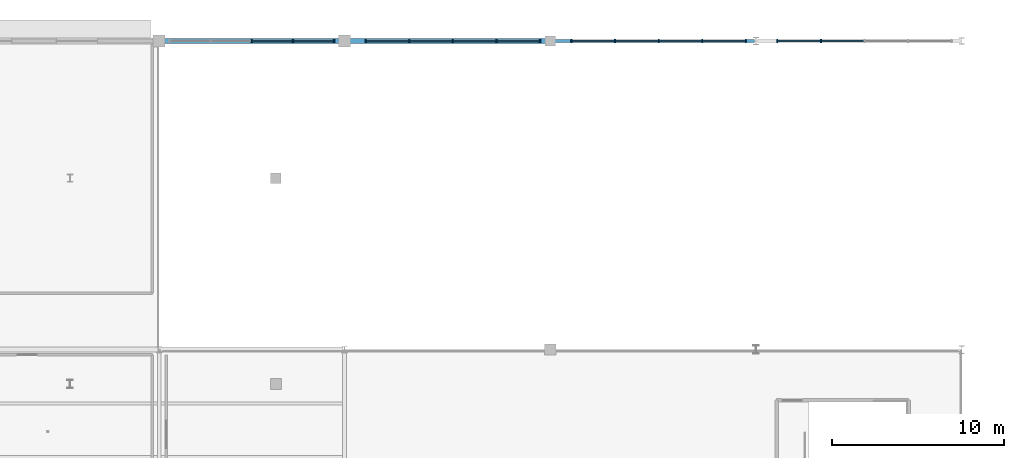
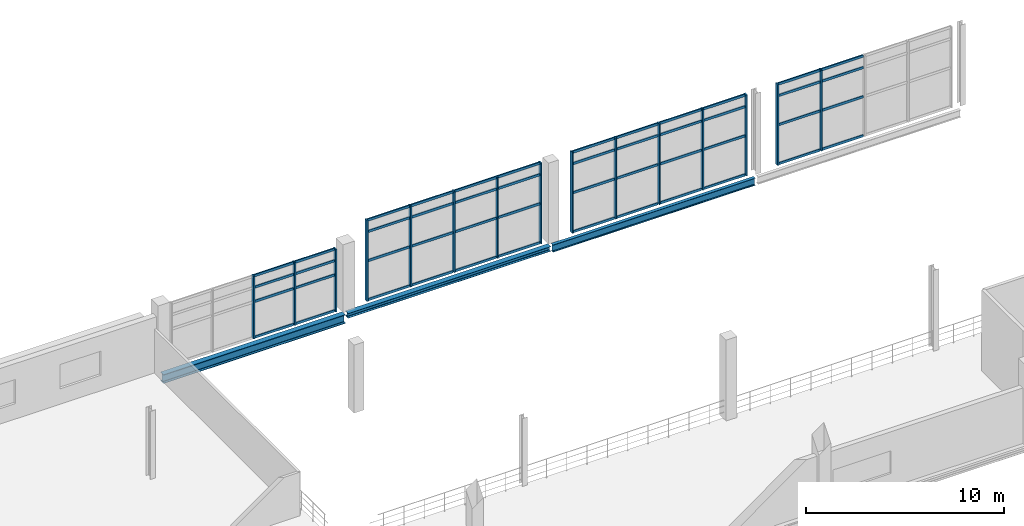
# One storey, part 52 of 89: 63 members, 3 beams, 4 elements without a shape of their own.
"""IFC4 building model written with IfcOpenShell, lengths in metres."""

from ifc_helpers import new_model, si_unit, direction, frame, origin, origin_2d, place, context, subcontext, project, spatial, rectangle, i_section, extrude, material, material_profile, profile_set, type_object, element, aggregate, save


model = new_model("IFC4")

# Units and contexts
model_context = context("Model", 3, precision=1e-05, world=origin(), true_north=direction((0.0, 1.0)))
body_context = subcontext(model_context, "Body", "Model", "MODEL_VIEW")
ifc_project = project(units=[si_unit("LENGTHUNIT", "METRE"), si_unit("AREAUNIT", "SQUARE_METRE"), si_unit("VOLUMEUNIT", "CUBIC_METRE"), si_unit("PLANEANGLEUNIT", "RADIAN"), si_unit("MASSUNIT", "GRAM", prefix="KILO"), si_unit("THERMODYNAMICTEMPERATUREUNIT", "KELVIN"), si_unit("POWERUNIT", "WATT")], contexts=[model_context])

# Site, building, storey
site_placement = place(None, origin())
site = spatial("IfcSite", under=ifc_project, at=site_placement, CompositionType="ELEMENT")
building_placement = place(site_placement, origin())
building = spatial("IfcBuilding", under=site, at=building_placement, Name="Solmara Park Aquatics Centre", CompositionType="ELEMENT")
storey_placement = place(building_placement, frame((0.0, 0.0, 5.39990234375)))
storey = spatial("IfcBuildingStorey", under=building, at=storey_placement, Name="L01", CompositionType="ELEMENT", Elevation=5.39990234375)

# Curtain wall, members
ifc_material_1 = material(Name="Anodised Aluminium Curtain Wall Framing", Category="aluminium")
curtain_wall_type = type_object("IfcCurtainWallType", Name="ARC-CW-SYS03", PredefinedType="USERDEFINED", material=ifc_material_1)
curtain_wall_1_placement = place(storey_placement, origin())
curtain_wall_1 = element("IfcCurtainWall", 1, at=curtain_wall_1_placement, inside=storey, type_object=curtain_wall_type, Name="Curtain Wall CW-120", ObjectType="CURTAIN WALL", PredefinedType="USERDEFINED")
ifc_material_2 = material(Name="Anodised Aluminium Alloy 6063-T6", Category="aluminium")
ifc_material_profile_1 = material_profile(ifc_material_2, rectangle(XDim=0.074951171875, YDim=0.219970703125, at=origin_2d()), Name="ALU MULLION 75x220")
ifc_profile_set_1 = profile_set([ifc_material_profile_1], Name="Anodised Aluminium Alloy 6063-T6")
member_type_1 = type_object("IfcMemberType", Name="ARC-CWM-75x220", PredefinedType="MULLION", material=ifc_profile_set_1)
member_1_placement = place(storey_placement, frame((114.60009765625, 136.0, 0.0), z_axis=(0.0, 0.0, 1.0), x_axis=(1.0, 0.0, 0.0)))
member_1 = element("IfcMember", 2, at=member_1_placement, type_object=member_type_1, Name="CW-120 mullion 3", PredefinedType="MULLION", context=body_context, shape_type="SweptSolid", body=[
    extrude(rectangle(XDim=0.074951171875, YDim=0.219970703125, at=origin_2d()), origin(), (0.0, 0.0, 1.0), 3.880126953125),
])
member_2_placement = place(storey_placement, frame((117.0, 136.0, 0.0), z_axis=(0.0, 0.0, 1.0), x_axis=(1.0, 0.0, 0.0)))
member_2 = element("IfcMember", 3, at=member_2_placement, type_object=member_type_1, Name="CW-120 mullion 4", PredefinedType="MULLION", context=body_context, shape_type="SweptSolid", body=[
    extrude(rectangle(XDim=0.074951171875, YDim=0.219970703125, at=origin_2d()), origin(), (0.0, 0.0, 1.0), 3.880126953125),
])
member_3_placement = place(storey_placement, frame((119.39990234375, 136.0, 0.0), z_axis=(0.0, 0.0, 1.0), x_axis=(1.0, 0.0, 0.0)))
member_3 = element("IfcMember", 4, at=member_3_placement, type_object=member_type_1, Name="CW-120 mullion 5", PredefinedType="MULLION", context=body_context, shape_type="SweptSolid", body=[
    extrude(rectangle(XDim=0.074951171875, YDim=0.219970703125, at=origin_2d()), origin(), (0.0, 0.0, 1.0), 3.880126953125),
])

curtain_wall_2_placement = place(storey_placement, origin())
curtain_wall_2 = element("IfcCurtainWall", 5, at=curtain_wall_2_placement, inside=storey, type_object=curtain_wall_type, Name="Curtain Wall CW-121", ObjectType="CURTAIN WALL", PredefinedType="USERDEFINED")
member_4_placement = place(storey_placement, frame((121.239990234375, 136.0, 0.0), z_axis=(0.0, 0.0, 1.0), x_axis=(1.0, 0.0, 0.0)))
member_4 = element("IfcMember", 6, at=member_4_placement, type_object=member_type_1, Name="CW-121 mullion 1", PredefinedType="MULLION", context=body_context, shape_type="SweptSolid", body=[
    extrude(rectangle(XDim=0.074951171875, YDim=0.219970703125, at=origin_2d()), origin(), (0.0, 0.0, 1.0), 5.0),
])
member_5_placement = place(storey_placement, frame((123.780029296875, 136.0, 0.0), z_axis=(0.0, 0.0, 1.0), x_axis=(1.0, 0.0, 0.0)))
member_5 = element("IfcMember", 7, at=member_5_placement, type_object=member_type_1, Name="CW-121 mullion 2", PredefinedType="MULLION", context=body_context, shape_type="SweptSolid", body=[
    extrude(rectangle(XDim=0.074951171875, YDim=0.219970703125, at=origin_2d()), origin(), (0.0, 0.0, 1.0), 5.0),
])
member_6_placement = place(storey_placement, frame((126.320068359375, 136.0, 0.0), z_axis=(0.0, 0.0, 1.0), x_axis=(1.0, 0.0, 0.0)))
member_6 = element("IfcMember", 8, at=member_6_placement, type_object=member_type_1, Name="CW-121 mullion 3", PredefinedType="MULLION", context=body_context, shape_type="SweptSolid", body=[
    extrude(rectangle(XDim=0.074951171875, YDim=0.219970703125, at=origin_2d()), origin(), (0.0, 0.0, 1.0), 5.0),
])
member_7_placement = place(storey_placement, frame((128.860107421875, 136.0, 0.0), z_axis=(0.0, 0.0, 1.0), x_axis=(1.0, 0.0, 0.0)))
member_7 = element("IfcMember", 9, at=member_7_placement, type_object=member_type_1, Name="CW-121 mullion 4", PredefinedType="MULLION", context=body_context, shape_type="SweptSolid", body=[
    extrude(rectangle(XDim=0.074951171875, YDim=0.219970703125, at=origin_2d()), origin(), (0.0, 0.0, 1.0), 5.0),
])
member_8_placement = place(storey_placement, frame((131.39990234375, 136.0, 0.0), z_axis=(0.0, 0.0, 1.0), x_axis=(1.0, 0.0, 0.0)))
member_8 = element("IfcMember", 10, at=member_8_placement, type_object=member_type_1, Name="CW-121 mullion 5", PredefinedType="MULLION", context=body_context, shape_type="SweptSolid", body=[
    extrude(rectangle(XDim=0.074951171875, YDim=0.219970703125, at=origin_2d()), origin(), (0.0, 0.0, 1.0), 5.0),
])

curtain_wall_3_placement = place(storey_placement, origin())
curtain_wall_3 = element("IfcCurtainWall", 11, at=curtain_wall_3_placement, inside=storey, type_object=curtain_wall_type, Name="Curtain Wall CW-122", ObjectType="CURTAIN WALL", PredefinedType="USERDEFINED")
member_9_placement = place(storey_placement, frame((133.239990234375, 136.0, 0.0), z_axis=(0.0, 0.0, 1.0), x_axis=(1.0, 0.0, 0.0)))
member_9 = element("IfcMember", 12, at=member_9_placement, type_object=member_type_1, Name="CW-122 mullion 1", PredefinedType="MULLION", context=body_context, shape_type="SweptSolid", body=[
    extrude(rectangle(XDim=0.074951171875, YDim=0.219970703125, at=origin_2d()), origin(), (0.0, 0.0, 1.0), 5.0),
])
member_10_placement = place(storey_placement, frame((135.780029296875, 136.0, 0.0), z_axis=(0.0, 0.0, 1.0), x_axis=(1.0, 0.0, 0.0)))
member_10 = element("IfcMember", 13, at=member_10_placement, type_object=member_type_1, Name="CW-122 mullion 2", PredefinedType="MULLION", context=body_context, shape_type="SweptSolid", body=[
    extrude(rectangle(XDim=0.074951171875, YDim=0.219970703125, at=origin_2d()), origin(), (0.0, 0.0, 1.0), 5.0),
])
member_11_placement = place(storey_placement, frame((138.320068359375, 136.0, 0.0), z_axis=(0.0, 0.0, 1.0), x_axis=(1.0, 0.0, 0.0)))
member_11 = element("IfcMember", 14, at=member_11_placement, type_object=member_type_1, Name="CW-122 mullion 3", PredefinedType="MULLION", context=body_context, shape_type="SweptSolid", body=[
    extrude(rectangle(XDim=0.074951171875, YDim=0.219970703125, at=origin_2d()), origin(), (0.0, 0.0, 1.0), 5.0),
])
member_12_placement = place(storey_placement, frame((140.860107421875, 136.0, 0.0), z_axis=(0.0, 0.0, 1.0), x_axis=(1.0, 0.0, 0.0)))
member_12 = element("IfcMember", 15, at=member_12_placement, type_object=member_type_1, Name="CW-122 mullion 4", PredefinedType="MULLION", context=body_context, shape_type="SweptSolid", body=[
    extrude(rectangle(XDim=0.074951171875, YDim=0.219970703125, at=origin_2d()), origin(), (0.0, 0.0, 1.0), 5.0),
])
member_13_placement = place(storey_placement, frame((143.39990234375, 136.0, 0.0), z_axis=(0.0, 0.0, 1.0), x_axis=(1.0, 0.0, 0.0)))
member_13 = element("IfcMember", 16, at=member_13_placement, type_object=member_type_1, Name="CW-122 mullion 5", PredefinedType="MULLION", context=body_context, shape_type="SweptSolid", body=[
    extrude(rectangle(XDim=0.074951171875, YDim=0.219970703125, at=origin_2d()), origin(), (0.0, 0.0, 1.0), 5.0),
])

curtain_wall_4_placement = place(storey_placement, origin())
curtain_wall_4 = element("IfcCurtainWall", 17, at=curtain_wall_4_placement, inside=storey, type_object=curtain_wall_type, Name="Curtain Wall CW-123", ObjectType="CURTAIN WALL", PredefinedType="USERDEFINED")
member_14_placement = place(storey_placement, frame((145.239990234375, 136.0, 0.0), z_axis=(0.0, 0.0, 1.0), x_axis=(1.0, 0.0, 0.0)))
member_14 = element("IfcMember", 18, at=member_14_placement, type_object=member_type_1, Name="CW-123 mullion 1", PredefinedType="MULLION", context=body_context, shape_type="SweptSolid", body=[
    extrude(rectangle(XDim=0.074951171875, YDim=0.219970703125, at=origin_2d()), origin(), (0.0, 0.0, 1.0), 5.0),
])
member_15_placement = place(storey_placement, frame((147.780029296875, 136.0, 0.0), z_axis=(0.0, 0.0, 1.0), x_axis=(1.0, 0.0, 0.0)))
member_15 = element("IfcMember", 19, at=member_15_placement, type_object=member_type_1, Name="CW-123 mullion 2", PredefinedType="MULLION", context=body_context, shape_type="SweptSolid", body=[
    extrude(rectangle(XDim=0.074951171875, YDim=0.219970703125, at=origin_2d()), origin(), (0.0, 0.0, 1.0), 5.0),
])

# Member
ifc_material_profile_2 = material_profile(ifc_material_2, rectangle(XDim=0.074951171875, YDim=0.14990234375, at=origin_2d()), Name="ALU TRANSOM 75x150")
ifc_profile_set_2 = profile_set([ifc_material_profile_2], Name="Anodised Aluminium Alloy 6063-T6")
member_type_2 = type_object("IfcMemberType", Name="ARC-CWT-75x150", PredefinedType="USERDEFINED", material=ifc_profile_set_2)
member_16_placement = place(storey_placement, frame((114.6201171875, 136.0, 0.0400390625), z_axis=(1.0, 0.0, 0.0), x_axis=(0.0, 1.0, 0.0)))
member_16 = element("IfcMember", 20, at=member_16_placement, type_object=member_type_2, Name="CW-120 transom 9", ObjectType="TRANSOM", PredefinedType="USERDEFINED", context=body_context, shape_type="SweptSolid", body=[
    extrude(rectangle(XDim=0.074951171875, YDim=0.14990234375, at=origin_2d()), origin(), (0.0, 0.0, 1.0), 2.31982421875),
])

member_17_placement = place(storey_placement, frame((114.6201171875, 136.0, 2.25048828125), z_axis=(1.0, 0.0, 0.0), x_axis=(0.0, 1.0, 0.0)))
member_17 = element("IfcMember", 21, at=member_17_placement, type_object=member_type_2, Name="CW-120 transom 10", ObjectType="TRANSOM", PredefinedType="USERDEFINED", context=body_context, shape_type="SweptSolid", body=[
    extrude(rectangle(XDim=0.074951171875, YDim=0.14990234375, at=origin_2d()), origin(), (0.0, 0.0, 1.0), 2.31982421875),
])

member_18_placement = place(storey_placement, frame((114.6201171875, 136.0, 3.130126953125), z_axis=(1.0, 0.0, 0.0), x_axis=(0.0, 1.0, 0.0)))
member_18 = element("IfcMember", 22, at=member_18_placement, type_object=member_type_2, Name="CW-120 transom 11", ObjectType="TRANSOM", PredefinedType="USERDEFINED", context=body_context, shape_type="SweptSolid", body=[
    extrude(rectangle(XDim=0.074951171875, YDim=0.14990234375, at=origin_2d()), origin(), (0.0, 0.0, 1.0), 2.31982421875),
])

member_19_placement = place(storey_placement, frame((114.6201171875, 136.0, 3.840087890625), z_axis=(1.0, 0.0, 0.0), x_axis=(0.0, 1.0, 0.0)))
member_19 = element("IfcMember", 23, at=member_19_placement, type_object=member_type_2, Name="CW-120 transom 12", ObjectType="TRANSOM", PredefinedType="USERDEFINED", context=body_context, shape_type="SweptSolid", body=[
    extrude(rectangle(XDim=0.074951171875, YDim=0.14990234375, at=origin_2d()), origin(), (0.0, 0.0, 1.0), 2.31982421875),
])

member_20_placement = place(storey_placement, frame((117.02001953125, 136.0, 0.0400390625), z_axis=(1.0, 0.0, 0.0), x_axis=(0.0, 1.0, 0.0)))
member_20 = element("IfcMember", 24, at=member_20_placement, type_object=member_type_2, Name="CW-120 transom 13", ObjectType="TRANSOM", PredefinedType="USERDEFINED", context=body_context, shape_type="SweptSolid", body=[
    extrude(rectangle(XDim=0.074951171875, YDim=0.14990234375, at=origin_2d()), origin(), (0.0, 0.0, 1.0), 2.320068359375),
])

member_21_placement = place(storey_placement, frame((117.02001953125, 136.0, 2.25048828125), z_axis=(1.0, 0.0, 0.0), x_axis=(0.0, 1.0, 0.0)))
member_21 = element("IfcMember", 25, at=member_21_placement, type_object=member_type_2, Name="CW-120 transom 14", ObjectType="TRANSOM", PredefinedType="USERDEFINED", context=body_context, shape_type="SweptSolid", body=[
    extrude(rectangle(XDim=0.074951171875, YDim=0.14990234375, at=origin_2d()), origin(), (0.0, 0.0, 1.0), 2.320068359375),
])

member_22_placement = place(storey_placement, frame((117.02001953125, 136.0, 3.130126953125), z_axis=(1.0, 0.0, 0.0), x_axis=(0.0, 1.0, 0.0)))
member_22 = element("IfcMember", 26, at=member_22_placement, type_object=member_type_2, Name="CW-120 transom 15", ObjectType="TRANSOM", PredefinedType="USERDEFINED", context=body_context, shape_type="SweptSolid", body=[
    extrude(rectangle(XDim=0.074951171875, YDim=0.14990234375, at=origin_2d()), origin(), (0.0, 0.0, 1.0), 2.320068359375),
])

member_23_placement = place(storey_placement, frame((117.02001953125, 136.0, 3.840087890625), z_axis=(1.0, 0.0, 0.0), x_axis=(0.0, 1.0, 0.0)))
member_23 = element("IfcMember", 27, at=member_23_placement, type_object=member_type_2, Name="CW-120 transom 16", ObjectType="TRANSOM", PredefinedType="USERDEFINED", context=body_context, shape_type="SweptSolid", body=[
    extrude(rectangle(XDim=0.074951171875, YDim=0.14990234375, at=origin_2d()), origin(), (0.0, 0.0, 1.0), 2.320068359375),
])

aggregate(curtain_wall_1, [member_1, member_2, member_3, member_16, member_17, member_18, member_19, member_20, member_21, member_22, member_23])

member_24_placement = place(storey_placement, frame((121.260009765625, 136.0, 0.0400390625), z_axis=(1.0, 0.0, 0.0), x_axis=(0.0, 1.0, 0.0)))
member_24 = element("IfcMember", 28, at=member_24_placement, type_object=member_type_2, Name="CW-121 transom 1", ObjectType="TRANSOM", PredefinedType="USERDEFINED", context=body_context, shape_type="SweptSolid", body=[
    extrude(rectangle(XDim=0.074951171875, YDim=0.14990234375, at=origin_2d()), origin(), (0.0, 0.0, 1.0), 2.4599609375),
])

member_25_placement = place(storey_placement, frame((121.260009765625, 136.0, 2.4501953125), z_axis=(1.0, 0.0, 0.0), x_axis=(0.0, 1.0, 0.0)))
member_25 = element("IfcMember", 29, at=member_25_placement, type_object=member_type_2, Name="CW-121 transom 2", ObjectType="TRANSOM", PredefinedType="USERDEFINED", context=body_context, shape_type="SweptSolid", body=[
    extrude(rectangle(XDim=0.074951171875, YDim=0.14990234375, at=origin_2d()), origin(), (0.0, 0.0, 1.0), 2.4599609375),
])

member_26_placement = place(storey_placement, frame((121.260009765625, 136.0, 4.25), z_axis=(1.0, 0.0, 0.0), x_axis=(0.0, 1.0, 0.0)))
member_26 = element("IfcMember", 30, at=member_26_placement, type_object=member_type_2, Name="CW-121 transom 3", ObjectType="TRANSOM", PredefinedType="USERDEFINED", context=body_context, shape_type="SweptSolid", body=[
    extrude(rectangle(XDim=0.074951171875, YDim=0.14990234375, at=origin_2d()), origin(), (0.0, 0.0, 1.0), 2.4599609375),
])

member_27_placement = place(storey_placement, frame((121.260009765625, 136.0, 4.960205078125), z_axis=(1.0, 0.0, 0.0), x_axis=(0.0, 1.0, 0.0)))
member_27 = element("IfcMember", 31, at=member_27_placement, type_object=member_type_2, Name="CW-121 transom 4", ObjectType="TRANSOM", PredefinedType="USERDEFINED", context=body_context, shape_type="SweptSolid", body=[
    extrude(rectangle(XDim=0.074951171875, YDim=0.14990234375, at=origin_2d()), origin(), (0.0, 0.0, 1.0), 2.4599609375),
])

member_28_placement = place(storey_placement, frame((123.800048828125, 136.0, 0.0400390625), z_axis=(1.0, 0.0, 0.0), x_axis=(0.0, 1.0, 0.0)))
member_28 = element("IfcMember", 32, at=member_28_placement, type_object=member_type_2, Name="CW-121 transom 5", ObjectType="TRANSOM", PredefinedType="USERDEFINED", context=body_context, shape_type="SweptSolid", body=[
    extrude(rectangle(XDim=0.074951171875, YDim=0.14990234375, at=origin_2d()), origin(), (0.0, 0.0, 1.0), 2.4599609375),
])

member_29_placement = place(storey_placement, frame((123.800048828125, 136.0, 2.4501953125), z_axis=(1.0, 0.0, 0.0), x_axis=(0.0, 1.0, 0.0)))
member_29 = element("IfcMember", 33, at=member_29_placement, type_object=member_type_2, Name="CW-121 transom 6", ObjectType="TRANSOM", PredefinedType="USERDEFINED", context=body_context, shape_type="SweptSolid", body=[
    extrude(rectangle(XDim=0.074951171875, YDim=0.14990234375, at=origin_2d()), origin(), (0.0, 0.0, 1.0), 2.4599609375),
])

member_30_placement = place(storey_placement, frame((123.800048828125, 136.0, 4.25), z_axis=(1.0, 0.0, 0.0), x_axis=(0.0, 1.0, 0.0)))
member_30 = element("IfcMember", 34, at=member_30_placement, type_object=member_type_2, Name="CW-121 transom 7", ObjectType="TRANSOM", PredefinedType="USERDEFINED", context=body_context, shape_type="SweptSolid", body=[
    extrude(rectangle(XDim=0.074951171875, YDim=0.14990234375, at=origin_2d()), origin(), (0.0, 0.0, 1.0), 2.4599609375),
])

member_31_placement = place(storey_placement, frame((123.800048828125, 136.0, 4.960205078125), z_axis=(1.0, 0.0, 0.0), x_axis=(0.0, 1.0, 0.0)))
member_31 = element("IfcMember", 35, at=member_31_placement, type_object=member_type_2, Name="CW-121 transom 8", ObjectType="TRANSOM", PredefinedType="USERDEFINED", context=body_context, shape_type="SweptSolid", body=[
    extrude(rectangle(XDim=0.074951171875, YDim=0.14990234375, at=origin_2d()), origin(), (0.0, 0.0, 1.0), 2.4599609375),
])

member_32_placement = place(storey_placement, frame((126.340087890625, 136.0, 0.0400390625), z_axis=(1.0, 0.0, 0.0), x_axis=(0.0, 1.0, 0.0)))
member_32 = element("IfcMember", 36, at=member_32_placement, type_object=member_type_2, Name="CW-121 transom 9", ObjectType="TRANSOM", PredefinedType="USERDEFINED", context=body_context, shape_type="SweptSolid", body=[
    extrude(rectangle(XDim=0.074951171875, YDim=0.14990234375, at=origin_2d()), origin(), (0.0, 0.0, 1.0), 2.4599609375),
])

member_33_placement = place(storey_placement, frame((126.340087890625, 136.0, 2.4501953125), z_axis=(1.0, 0.0, 0.0), x_axis=(0.0, 1.0, 0.0)))
member_33 = element("IfcMember", 37, at=member_33_placement, type_object=member_type_2, Name="CW-121 transom 10", ObjectType="TRANSOM", PredefinedType="USERDEFINED", context=body_context, shape_type="SweptSolid", body=[
    extrude(rectangle(XDim=0.074951171875, YDim=0.14990234375, at=origin_2d()), origin(), (0.0, 0.0, 1.0), 2.4599609375),
])

member_34_placement = place(storey_placement, frame((126.340087890625, 136.0, 4.25), z_axis=(1.0, 0.0, 0.0), x_axis=(0.0, 1.0, 0.0)))
member_34 = element("IfcMember", 38, at=member_34_placement, type_object=member_type_2, Name="CW-121 transom 11", ObjectType="TRANSOM", PredefinedType="USERDEFINED", context=body_context, shape_type="SweptSolid", body=[
    extrude(rectangle(XDim=0.074951171875, YDim=0.14990234375, at=origin_2d()), origin(), (0.0, 0.0, 1.0), 2.4599609375),
])

member_35_placement = place(storey_placement, frame((126.340087890625, 136.0, 4.960205078125), z_axis=(1.0, 0.0, 0.0), x_axis=(0.0, 1.0, 0.0)))
member_35 = element("IfcMember", 39, at=member_35_placement, type_object=member_type_2, Name="CW-121 transom 12", ObjectType="TRANSOM", PredefinedType="USERDEFINED", context=body_context, shape_type="SweptSolid", body=[
    extrude(rectangle(XDim=0.074951171875, YDim=0.14990234375, at=origin_2d()), origin(), (0.0, 0.0, 1.0), 2.4599609375),
])

member_36_placement = place(storey_placement, frame((128.8798828125, 136.0, 0.0400390625), z_axis=(1.0, 0.0, 0.0), x_axis=(0.0, 1.0, 0.0)))
member_36 = element("IfcMember", 40, at=member_36_placement, type_object=member_type_2, Name="CW-121 transom 13", ObjectType="TRANSOM", PredefinedType="USERDEFINED", context=body_context, shape_type="SweptSolid", body=[
    extrude(rectangle(XDim=0.074951171875, YDim=0.14990234375, at=origin_2d()), origin(), (0.0, 0.0, 1.0), 2.460205078125),
])

member_37_placement = place(storey_placement, frame((128.8798828125, 136.0, 2.4501953125), z_axis=(1.0, 0.0, 0.0), x_axis=(0.0, 1.0, 0.0)))
member_37 = element("IfcMember", 41, at=member_37_placement, type_object=member_type_2, Name="CW-121 transom 14", ObjectType="TRANSOM", PredefinedType="USERDEFINED", context=body_context, shape_type="SweptSolid", body=[
    extrude(rectangle(XDim=0.074951171875, YDim=0.14990234375, at=origin_2d()), origin(), (0.0, 0.0, 1.0), 2.460205078125),
])

member_38_placement = place(storey_placement, frame((128.8798828125, 136.0, 4.25), z_axis=(1.0, 0.0, 0.0), x_axis=(0.0, 1.0, 0.0)))
member_38 = element("IfcMember", 42, at=member_38_placement, type_object=member_type_2, Name="CW-121 transom 15", ObjectType="TRANSOM", PredefinedType="USERDEFINED", context=body_context, shape_type="SweptSolid", body=[
    extrude(rectangle(XDim=0.074951171875, YDim=0.14990234375, at=origin_2d()), origin(), (0.0, 0.0, 1.0), 2.460205078125),
])

member_39_placement = place(storey_placement, frame((128.8798828125, 136.0, 4.960205078125), z_axis=(1.0, 0.0, 0.0), x_axis=(0.0, 1.0, 0.0)))
member_39 = element("IfcMember", 43, at=member_39_placement, type_object=member_type_2, Name="CW-121 transom 16", ObjectType="TRANSOM", PredefinedType="USERDEFINED", context=body_context, shape_type="SweptSolid", body=[
    extrude(rectangle(XDim=0.074951171875, YDim=0.14990234375, at=origin_2d()), origin(), (0.0, 0.0, 1.0), 2.460205078125),
])

aggregate(curtain_wall_2, [member_4, member_5, member_6, member_7, member_8, member_24, member_25, member_26, member_27, member_28, member_29, member_30, member_31, member_32, member_33, member_34, member_35, member_36, member_37, member_38, member_39])

member_40_placement = place(storey_placement, frame((133.260009765625, 136.0, 0.0400390625), z_axis=(1.0, 0.0, 0.0), x_axis=(0.0, 1.0, 0.0)))
member_40 = element("IfcMember", 44, at=member_40_placement, type_object=member_type_2, Name="CW-122 transom 1", ObjectType="TRANSOM", PredefinedType="USERDEFINED", context=body_context, shape_type="SweptSolid", body=[
    extrude(rectangle(XDim=0.074951171875, YDim=0.14990234375, at=origin_2d()), origin(), (0.0, 0.0, 1.0), 2.4599609375),
])

member_41_placement = place(storey_placement, frame((133.260009765625, 136.0, 2.4501953125), z_axis=(1.0, 0.0, 0.0), x_axis=(0.0, 1.0, 0.0)))
member_41 = element("IfcMember", 45, at=member_41_placement, type_object=member_type_2, Name="CW-122 transom 2", ObjectType="TRANSOM", PredefinedType="USERDEFINED", context=body_context, shape_type="SweptSolid", body=[
    extrude(rectangle(XDim=0.074951171875, YDim=0.14990234375, at=origin_2d()), origin(), (0.0, 0.0, 1.0), 2.4599609375),
])

member_42_placement = place(storey_placement, frame((133.260009765625, 136.0, 4.25), z_axis=(1.0, 0.0, 0.0), x_axis=(0.0, 1.0, 0.0)))
member_42 = element("IfcMember", 46, at=member_42_placement, type_object=member_type_2, Name="CW-122 transom 3", ObjectType="TRANSOM", PredefinedType="USERDEFINED", context=body_context, shape_type="SweptSolid", body=[
    extrude(rectangle(XDim=0.074951171875, YDim=0.14990234375, at=origin_2d()), origin(), (0.0, 0.0, 1.0), 2.4599609375),
])

member_43_placement = place(storey_placement, frame((133.260009765625, 136.0, 4.960205078125), z_axis=(1.0, 0.0, 0.0), x_axis=(0.0, 1.0, 0.0)))
member_43 = element("IfcMember", 47, at=member_43_placement, type_object=member_type_2, Name="CW-122 transom 4", ObjectType="TRANSOM", PredefinedType="USERDEFINED", context=body_context, shape_type="SweptSolid", body=[
    extrude(rectangle(XDim=0.074951171875, YDim=0.14990234375, at=origin_2d()), origin(), (0.0, 0.0, 1.0), 2.4599609375),
])

member_44_placement = place(storey_placement, frame((135.800048828125, 136.0, 0.0400390625), z_axis=(1.0, 0.0, 0.0), x_axis=(0.0, 1.0, 0.0)))
member_44 = element("IfcMember", 48, at=member_44_placement, type_object=member_type_2, Name="CW-122 transom 5", ObjectType="TRANSOM", PredefinedType="USERDEFINED", context=body_context, shape_type="SweptSolid", body=[
    extrude(rectangle(XDim=0.074951171875, YDim=0.14990234375, at=origin_2d()), origin(), (0.0, 0.0, 1.0), 2.4599609375),
])

member_45_placement = place(storey_placement, frame((135.800048828125, 136.0, 2.4501953125), z_axis=(1.0, 0.0, 0.0), x_axis=(0.0, 1.0, 0.0)))
member_45 = element("IfcMember", 49, at=member_45_placement, type_object=member_type_2, Name="CW-122 transom 6", ObjectType="TRANSOM", PredefinedType="USERDEFINED", context=body_context, shape_type="SweptSolid", body=[
    extrude(rectangle(XDim=0.074951171875, YDim=0.14990234375, at=origin_2d()), origin(), (0.0, 0.0, 1.0), 2.4599609375),
])

member_46_placement = place(storey_placement, frame((135.800048828125, 136.0, 4.25), z_axis=(1.0, 0.0, 0.0), x_axis=(0.0, 1.0, 0.0)))
member_46 = element("IfcMember", 50, at=member_46_placement, type_object=member_type_2, Name="CW-122 transom 7", ObjectType="TRANSOM", PredefinedType="USERDEFINED", context=body_context, shape_type="SweptSolid", body=[
    extrude(rectangle(XDim=0.074951171875, YDim=0.14990234375, at=origin_2d()), origin(), (0.0, 0.0, 1.0), 2.4599609375),
])

member_47_placement = place(storey_placement, frame((135.800048828125, 136.0, 4.960205078125), z_axis=(1.0, 0.0, 0.0), x_axis=(0.0, 1.0, 0.0)))
member_47 = element("IfcMember", 51, at=member_47_placement, type_object=member_type_2, Name="CW-122 transom 8", ObjectType="TRANSOM", PredefinedType="USERDEFINED", context=body_context, shape_type="SweptSolid", body=[
    extrude(rectangle(XDim=0.074951171875, YDim=0.14990234375, at=origin_2d()), origin(), (0.0, 0.0, 1.0), 2.4599609375),
])

member_48_placement = place(storey_placement, frame((138.340087890625, 136.0, 0.0400390625), z_axis=(1.0, 0.0, 0.0), x_axis=(0.0, 1.0, 0.0)))
member_48 = element("IfcMember", 52, at=member_48_placement, type_object=member_type_2, Name="CW-122 transom 9", ObjectType="TRANSOM", PredefinedType="USERDEFINED", context=body_context, shape_type="SweptSolid", body=[
    extrude(rectangle(XDim=0.074951171875, YDim=0.14990234375, at=origin_2d()), origin(), (0.0, 0.0, 1.0), 2.4599609375),
])

member_49_placement = place(storey_placement, frame((138.340087890625, 136.0, 2.4501953125), z_axis=(1.0, 0.0, 0.0), x_axis=(0.0, 1.0, 0.0)))
member_49 = element("IfcMember", 53, at=member_49_placement, type_object=member_type_2, Name="CW-122 transom 10", ObjectType="TRANSOM", PredefinedType="USERDEFINED", context=body_context, shape_type="SweptSolid", body=[
    extrude(rectangle(XDim=0.074951171875, YDim=0.14990234375, at=origin_2d()), origin(), (0.0, 0.0, 1.0), 2.4599609375),
])

member_50_placement = place(storey_placement, frame((138.340087890625, 136.0, 4.25), z_axis=(1.0, 0.0, 0.0), x_axis=(0.0, 1.0, 0.0)))
member_50 = element("IfcMember", 54, at=member_50_placement, type_object=member_type_2, Name="CW-122 transom 11", ObjectType="TRANSOM", PredefinedType="USERDEFINED", context=body_context, shape_type="SweptSolid", body=[
    extrude(rectangle(XDim=0.074951171875, YDim=0.14990234375, at=origin_2d()), origin(), (0.0, 0.0, 1.0), 2.4599609375),
])

member_51_placement = place(storey_placement, frame((138.340087890625, 136.0, 4.960205078125), z_axis=(1.0, 0.0, 0.0), x_axis=(0.0, 1.0, 0.0)))
member_51 = element("IfcMember", 55, at=member_51_placement, type_object=member_type_2, Name="CW-122 transom 12", ObjectType="TRANSOM", PredefinedType="USERDEFINED", context=body_context, shape_type="SweptSolid", body=[
    extrude(rectangle(XDim=0.074951171875, YDim=0.14990234375, at=origin_2d()), origin(), (0.0, 0.0, 1.0), 2.4599609375),
])

member_52_placement = place(storey_placement, frame((140.8798828125, 136.0, 0.0400390625), z_axis=(1.0, 0.0, 0.0), x_axis=(0.0, 1.0, 0.0)))
member_52 = element("IfcMember", 56, at=member_52_placement, type_object=member_type_2, Name="CW-122 transom 13", ObjectType="TRANSOM", PredefinedType="USERDEFINED", context=body_context, shape_type="SweptSolid", body=[
    extrude(rectangle(XDim=0.074951171875, YDim=0.14990234375, at=origin_2d()), origin(), (0.0, 0.0, 1.0), 2.460205078125),
])

member_53_placement = place(storey_placement, frame((140.8798828125, 136.0, 2.4501953125), z_axis=(1.0, 0.0, 0.0), x_axis=(0.0, 1.0, 0.0)))
member_53 = element("IfcMember", 57, at=member_53_placement, type_object=member_type_2, Name="CW-122 transom 14", ObjectType="TRANSOM", PredefinedType="USERDEFINED", context=body_context, shape_type="SweptSolid", body=[
    extrude(rectangle(XDim=0.074951171875, YDim=0.14990234375, at=origin_2d()), origin(), (0.0, 0.0, 1.0), 2.460205078125),
])

member_54_placement = place(storey_placement, frame((140.8798828125, 136.0, 4.25), z_axis=(1.0, 0.0, 0.0), x_axis=(0.0, 1.0, 0.0)))
member_54 = element("IfcMember", 58, at=member_54_placement, type_object=member_type_2, Name="CW-122 transom 15", ObjectType="TRANSOM", PredefinedType="USERDEFINED", context=body_context, shape_type="SweptSolid", body=[
    extrude(rectangle(XDim=0.074951171875, YDim=0.14990234375, at=origin_2d()), origin(), (0.0, 0.0, 1.0), 2.460205078125),
])

member_55_placement = place(storey_placement, frame((140.8798828125, 136.0, 4.960205078125), z_axis=(1.0, 0.0, 0.0), x_axis=(0.0, 1.0, 0.0)))
member_55 = element("IfcMember", 59, at=member_55_placement, type_object=member_type_2, Name="CW-122 transom 16", ObjectType="TRANSOM", PredefinedType="USERDEFINED", context=body_context, shape_type="SweptSolid", body=[
    extrude(rectangle(XDim=0.074951171875, YDim=0.14990234375, at=origin_2d()), origin(), (0.0, 0.0, 1.0), 2.460205078125),
])

aggregate(curtain_wall_3, [member_9, member_10, member_11, member_12, member_13, member_40, member_41, member_42, member_43, member_44, member_45, member_46, member_47, member_48, member_49, member_50, member_51, member_52, member_53, member_54, member_55])

member_56_placement = place(storey_placement, frame((145.260009765625, 136.0, 0.0400390625), z_axis=(1.0, 0.0, 0.0), x_axis=(0.0, 1.0, 0.0)))
member_56 = element("IfcMember", 60, at=member_56_placement, type_object=member_type_2, Name="CW-123 transom 1", ObjectType="TRANSOM", PredefinedType="USERDEFINED", context=body_context, shape_type="SweptSolid", body=[
    extrude(rectangle(XDim=0.074951171875, YDim=0.14990234375, at=origin_2d()), origin(), (0.0, 0.0, 1.0), 2.4599609375),
])

member_57_placement = place(storey_placement, frame((145.260009765625, 136.0, 2.4501953125), z_axis=(1.0, 0.0, 0.0), x_axis=(0.0, 1.0, 0.0)))
member_57 = element("IfcMember", 61, at=member_57_placement, type_object=member_type_2, Name="CW-123 transom 2", ObjectType="TRANSOM", PredefinedType="USERDEFINED", context=body_context, shape_type="SweptSolid", body=[
    extrude(rectangle(XDim=0.074951171875, YDim=0.14990234375, at=origin_2d()), origin(), (0.0, 0.0, 1.0), 2.4599609375),
])

member_58_placement = place(storey_placement, frame((145.260009765625, 136.0, 4.25), z_axis=(1.0, 0.0, 0.0), x_axis=(0.0, 1.0, 0.0)))
member_58 = element("IfcMember", 62, at=member_58_placement, type_object=member_type_2, Name="CW-123 transom 3", ObjectType="TRANSOM", PredefinedType="USERDEFINED", context=body_context, shape_type="SweptSolid", body=[
    extrude(rectangle(XDim=0.074951171875, YDim=0.14990234375, at=origin_2d()), origin(), (0.0, 0.0, 1.0), 2.4599609375),
])

member_59_placement = place(storey_placement, frame((145.260009765625, 136.0, 4.960205078125), z_axis=(1.0, 0.0, 0.0), x_axis=(0.0, 1.0, 0.0)))
member_59 = element("IfcMember", 63, at=member_59_placement, type_object=member_type_2, Name="CW-123 transom 4", ObjectType="TRANSOM", PredefinedType="USERDEFINED", context=body_context, shape_type="SweptSolid", body=[
    extrude(rectangle(XDim=0.074951171875, YDim=0.14990234375, at=origin_2d()), origin(), (0.0, 0.0, 1.0), 2.4599609375),
])

member_60_placement = place(storey_placement, frame((147.800048828125, 136.0, 0.0400390625), z_axis=(1.0, 0.0, 0.0), x_axis=(0.0, 1.0, 0.0)))
member_60 = element("IfcMember", 64, at=member_60_placement, type_object=member_type_2, Name="CW-123 transom 5", ObjectType="TRANSOM", PredefinedType="USERDEFINED", context=body_context, shape_type="SweptSolid", body=[
    extrude(rectangle(XDim=0.074951171875, YDim=0.14990234375, at=origin_2d()), origin(), (0.0, 0.0, 1.0), 2.4599609375),
])

member_61_placement = place(storey_placement, frame((147.800048828125, 136.0, 2.4501953125), z_axis=(1.0, 0.0, 0.0), x_axis=(0.0, 1.0, 0.0)))
member_61 = element("IfcMember", 65, at=member_61_placement, type_object=member_type_2, Name="CW-123 transom 6", ObjectType="TRANSOM", PredefinedType="USERDEFINED", context=body_context, shape_type="SweptSolid", body=[
    extrude(rectangle(XDim=0.074951171875, YDim=0.14990234375, at=origin_2d()), origin(), (0.0, 0.0, 1.0), 2.4599609375),
])

member_62_placement = place(storey_placement, frame((147.800048828125, 136.0, 4.25), z_axis=(1.0, 0.0, 0.0), x_axis=(0.0, 1.0, 0.0)))
member_62 = element("IfcMember", 66, at=member_62_placement, type_object=member_type_2, Name="CW-123 transom 7", ObjectType="TRANSOM", PredefinedType="USERDEFINED", context=body_context, shape_type="SweptSolid", body=[
    extrude(rectangle(XDim=0.074951171875, YDim=0.14990234375, at=origin_2d()), origin(), (0.0, 0.0, 1.0), 2.4599609375),
])

member_63_placement = place(storey_placement, frame((147.800048828125, 136.0, 4.960205078125), z_axis=(1.0, 0.0, 0.0), x_axis=(0.0, 1.0, 0.0)))
member_63 = element("IfcMember", 67, at=member_63_placement, type_object=member_type_2, Name="CW-123 transom 8", ObjectType="TRANSOM", PredefinedType="USERDEFINED", context=body_context, shape_type="SweptSolid", body=[
    extrude(rectangle(XDim=0.074951171875, YDim=0.14990234375, at=origin_2d()), origin(), (0.0, 0.0, 1.0), 2.4599609375),
])

aggregate(curtain_wall_4, [member_14, member_15, member_56, member_57, member_58, member_59, member_60, member_61, member_62, member_63])

# Beams
ifc_material_3 = material(Name="Structural Steel S355", Category="steel")
ifc_material_profile_3 = material_profile(ifc_material_3, i_section(OverallWidth=0.300048828125, OverallDepth=0.550048828125, WebThickness=0.014892578125, FlangeThickness=0.029052734375, FilletRadius=0.027099609375, at=origin_2d()), Name="HEB 550")
ifc_profile_set_3 = profile_set([ifc_material_profile_3], Name="Structural Steel S355")
beam_type_1 = type_object("IfcBeamType", Name="STR-BM-HEB550", PredefinedType="BEAM", material=ifc_profile_set_3)
beam_1_placement = place(storey_placement, frame((109.280029296875, 136.0, -0.594970703125), z_axis=(1.0, 0.0, 0.0), x_axis=(0.0, 1.0, 0.0)))
element("IfcBeam", 68, at=beam_1_placement, inside=storey, type_object=beam_type_1, Name="Girder BM-L01-0317", PredefinedType="BEAM", context=body_context, shape_type="SweptSolid", body=[
    extrude(i_section(OverallWidth=0.300048828125, OverallDepth=0.550048828125, WebThickness=0.014892578125, FlangeThickness=0.029052734375, FilletRadius=0.027099609375, at=origin_2d()), origin(), (0.0, 0.0, 1.0), 10.639892578125),
])
ifc_material_profile_4 = material_profile(ifc_material_3, i_section(OverallWidth=0.18994140625, OverallDepth=0.449951171875, WebThickness=0.009521484375, FlangeThickness=0.0146484375, FilletRadius=0.02099609375, at=origin_2d()), Name="IPE 450")
ifc_profile_set_4 = profile_set([ifc_material_profile_4], Name="Structural Steel S355")
beam_type_2 = type_object("IfcBeamType", Name="STR-BM-IPE450", PredefinedType="BEAM", material=ifc_profile_set_4)
beam_2_placement = place(storey_placement, frame((132.080078125, 136.0, -0.544921875), z_axis=(1.0, 0.0, 0.0), x_axis=(0.0, 1.0, 0.0)))
element("IfcBeam", 69, at=beam_2_placement, inside=storey, type_object=beam_type_2, Name="Girder BM-L01-0345", PredefinedType="BEAM", context=body_context, shape_type="SweptSolid", body=[
    extrude(i_section(OverallWidth=0.18994140625, OverallDepth=0.449951171875, WebThickness=0.009521484375, FlangeThickness=0.0146484375, FilletRadius=0.02099609375, at=origin_2d()), origin(), (0.0, 0.0, 1.0), 11.83984375),
])
ifc_material_profile_5 = material_profile(ifc_material_3, i_section(OverallWidth=0.300048828125, OverallDepth=0.2900390625, WebThickness=0.008544921875, FlangeThickness=0.013916015625, FilletRadius=0.027099609375, at=origin_2d()), Name="HEA 300")
ifc_profile_set_5 = profile_set([ifc_material_profile_5], Name="Structural Steel S355")
beam_type_3 = type_object("IfcBeamType", Name="STR-SPD-HEA300", PredefinedType="SPANDREL", material=ifc_profile_set_5)
beam_3_placement = place(storey_placement, frame((120.080078125, 136.0, -0.46484375), z_axis=(1.0, 0.0, 0.0), x_axis=(0.0, 1.0, 0.0)))
element("IfcBeam", 70, at=beam_3_placement, inside=storey, type_object=beam_type_3, Name="Girder BM-L01-0344", PredefinedType="SPANDREL", context=body_context, shape_type="SweptSolid", body=[
    extrude(i_section(OverallWidth=0.300048828125, OverallDepth=0.2900390625, WebThickness=0.008544921875, FlangeThickness=0.013916015625, FilletRadius=0.027099609375, at=origin_2d()), origin(), (0.0, 0.0, 1.0), 11.83984375),
])

save(model, "model.ifc")
